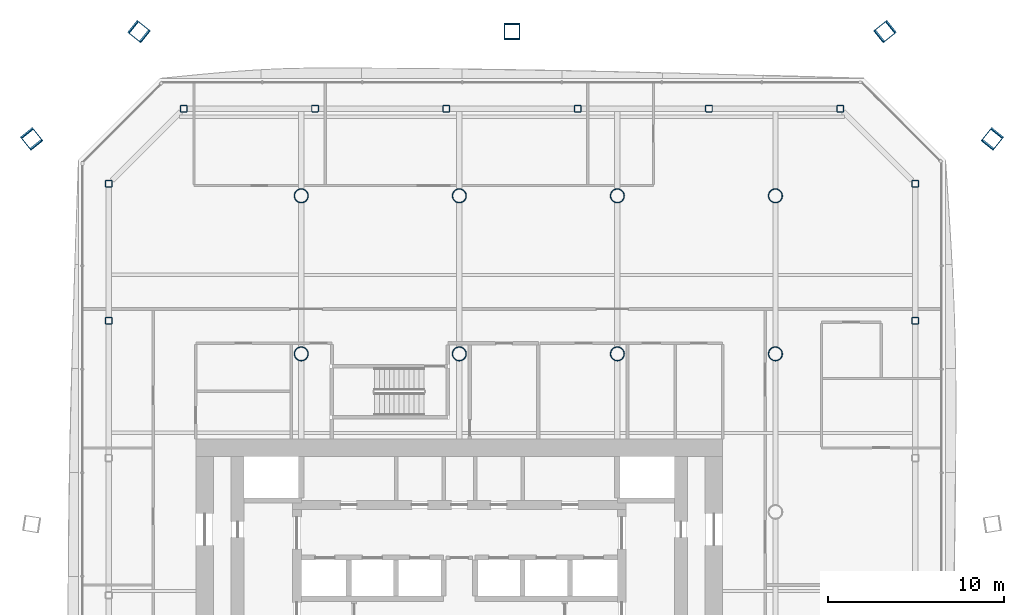
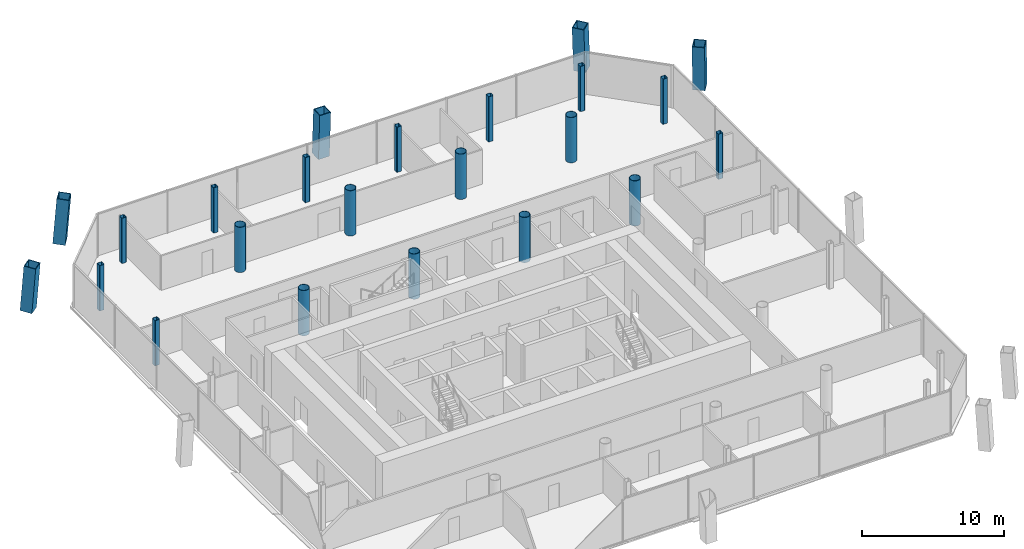
# One storey, part 2 of 19: 23 columns.
"""IFC4 building model written with IfcOpenShell, lengths in metres."""

from ifc_helpers import new_model, si_unit, direction, frame, origin, origin_2d, place, context, subcontext, project, spatial, hollow_rectangle, hollow_circle, extrude, material, material_profile, profile_set, type_object, element, save


model = new_model("IFC4")

# Units and contexts
model_context = context("Model", 3, precision=1e-05, world=origin(), true_north=direction((0.0, 1.0)))
body_context = subcontext(model_context, "Body", "Model", "MODEL_VIEW")
ifc_project = project(units=[si_unit("LENGTHUNIT", "METRE"), si_unit("AREAUNIT", "SQUARE_METRE"), si_unit("VOLUMEUNIT", "CUBIC_METRE"), si_unit("PLANEANGLEUNIT", "RADIAN"), si_unit("MASSUNIT", "GRAM", prefix="KILO")], contexts=[model_context])

# Site, building, storey
site_placement = place(None, origin())
site = spatial("IfcSite", under=ifc_project, at=site_placement, CompositionType="ELEMENT")
building_placement = place(site_placement, origin())
building = spatial("IfcBuilding", under=site, at=building_placement, Name="Tskaro Facet Tower", CompositionType="ELEMENT")
storey_placement = place(building_placement, frame((0.0, 0.0, 89.39990234375)))
storey = spatial("IfcBuildingStorey", under=building, at=storey_placement, Name="L21", CompositionType="ELEMENT", Elevation=89.39990234375)

# Columns
ifc_material_1 = material(Name="Steel S460M", Category="steel")
ifc_material_profile_1 = material_profile(ifc_material_1, hollow_rectangle(XDim=0.89990234375, YDim=0.89990234375, WallThickness=0.054931640625, at=origin_2d()), Name="BOX 900x900x55")
ifc_profile_set_1 = profile_set([ifc_material_profile_1], Name="Steel S460M")
column_type_1 = type_object("IfcColumnType", Name="BOX 900x900x55 mega column", PredefinedType="COLUMN", material=ifc_profile_set_1)
for number, where, z_axis, x_axis, name in (
    (1, (30.3798828125, 21.27392578125, 0.0), (-0.046506336546, -0.057992465304, 0.997233189695), (0.78013092104, -0.625616292976, 0.0), "BOX 900x900x55 MC06/2"),
    (2, (24.27392578125, 27.3798828125, 0.0), (-0.057992465304, -0.046506336546, 0.997233189695), (0.625616292976, -0.78013092104, 0.0), "BOX 900x900x55 MC07/2"),
):
    element("IfcColumn", number, at=place(storey_placement, frame(where, z_axis=z_axis, x_axis=x_axis)), inside=storey, type_object=column_type_1, Name=name, PredefinedType="COLUMN", context=body_context, shape_type="SweptSolid", body=[
        extrude(hollow_rectangle(XDim=0.89990234375, YDim=0.89990234375, WallThickness=0.054931640625, at=origin_2d()), origin(), (0.0, 0.0, 1.0), 3.910888671875),
    ])
column_placement = place(storey_placement, frame((3.0, 27.3798828125, 0.0), z_axis=(0.0, -0.046584737692, 0.99891434178), x_axis=(1.0, 0.0, 0.0)))
element("IfcColumn", 3, at=column_placement, inside=storey, type_object=column_type_1, Name="BOX 900x900x55 MC08/2", PredefinedType="COLUMN", context=body_context, shape_type="SweptSolid", body=[
    extrude(hollow_rectangle(XDim=0.89990234375, YDim=0.89990234375, WallThickness=0.054931640625, at=origin_2d()), origin(), (0.0, 0.0, 1.0), 3.904296875),
])
for number, where, z_axis, x_axis, name in (
    (4, (-18.27392578125, 27.3798828125, 0.0), (0.057992465304, -0.046506336546, 0.997233189695), (0.625616292976, 0.78013092104, 0.0), "BOX 900x900x55 MC09/2"),
    (5, (-24.3798828125, 21.27392578125, 0.0), (0.046506336546, -0.057992465304, 0.997233189695), (0.78013092104, 0.625616292976, 0.0), "BOX 900x900x55 MC10/2"),
):
    element("IfcColumn", number, at=place(storey_placement, frame(where, z_axis=z_axis, x_axis=x_axis)), inside=storey, type_object=column_type_1, Name=name, PredefinedType="COLUMN", context=body_context, shape_type="SweptSolid", body=[
        extrude(hollow_rectangle(XDim=0.89990234375, YDim=0.89990234375, WallThickness=0.054931640625, at=origin_2d()), origin(), (0.0, 0.0, 1.0), 3.910888671875),
    ])
ifc_material_2 = material(Name="Steel S355J2H", Category="steel")
ifc_material_profile_2 = material_profile(ifc_material_2, hollow_circle(Radius=0.406494140625, WallThickness=0.035888671875, at=origin_2d()), Name="CHS 812.8x36")
ifc_profile_set_2 = profile_set([ifc_material_profile_2], Name="Steel S355J2H")
column_type_2 = type_object("IfcColumnType", Name="CHS 812.8x36 interior column", PredefinedType="COLUMN", material=ifc_profile_set_2)
for number, where, z_axis, x_axis, name in (
    (6, (-9.0, 9.0, 0.0), (0.0, 0.0, 1.0), (1.0, 0.0, 0.0), "CHS 812.8x36 C3E/2"),
    (7, (-9.0, 18.0, 0.0), (0.0, 0.0, 1.0), (1.0, 0.0, 0.0), "CHS 812.8x36 C3F/2"),
    (8, (0.0, 9.0, 0.0), (0.0, 0.0, 1.0), (1.0, 0.0, 0.0), "CHS 812.8x36 C4E/2"),
    (9, (0.0, 18.0, 0.0), (0.0, 0.0, 1.0), (1.0, 0.0, 0.0), "CHS 812.8x36 C4F/2"),
    (10, (9.0, 9.0, 0.0), (0.0, 0.0, 1.0), (1.0, 0.0, 0.0), "CHS 812.8x36 C5E/2"),
    (11, (9.0, 18.0, 0.0), (0.0, 0.0, 1.0), (1.0, 0.0, 0.0), "CHS 812.8x36 C5F/2"),
    (12, (18.0, 9.0, 0.0), (0.0, 0.0, 1.0), (1.0, 0.0, 0.0), "CHS 812.8x36 C6E/2"),
    (13, (18.0, 18.0, 0.0), (0.0, 0.0, 1.0), (1.0, 0.0, 0.0), "CHS 812.8x36 C6F/2"),
):
    element("IfcColumn", number, at=place(storey_placement, frame(where, z_axis=z_axis, x_axis=x_axis)), inside=storey, type_object=column_type_2, Name=name, PredefinedType="COLUMN", context=body_context, shape_type="SweptSolid", body=[
        extrude(hollow_circle(Radius=0.406494140625, WallThickness=0.035888671875, at=origin_2d()), origin(), (0.0, 0.0, 1.0), 3.900146484375),
    ])
ifc_material_profile_3 = material_profile(ifc_material_2, hollow_rectangle(XDim=0.39990234375, YDim=0.39990234375, WallThickness=0.02490234375, InnerFilletRadius=0.03759765625, OuterFilletRadius=0.0625, at=origin_2d()), Name="SHS 400x400x25")
ifc_profile_set_3 = profile_set([ifc_material_profile_3], Name="Steel S355J2H")
column_type_3 = type_object("IfcColumnType", Name="SHS 400x400x25 ring column", PredefinedType="COLUMN", material=ifc_profile_set_3)
for number, where, z_axis, x_axis, name in (
    (14, (25.965087890625, 10.87890625, 0.0), (0.0, 0.0, 1.0), (1.0, 0.0, 0.0), "SHS 400x400x25 RE-5/2"),
    (15, (25.965087890625, 18.68994140625, 0.0), (0.0, 0.0, 1.0), (1.0, 0.0, 0.0), "SHS 400x400x25 RNE-1/2"),
    (16, (21.68994140625, 22.965087890625, 0.0), (0.0, 0.0, 1.0), (1.0, 0.0, 0.0), "SHS 400x400x25 RN-1/2"),
    (17, (14.214111328125, 22.965087890625, 0.0), (0.0, 0.0, 1.0), (1.0, 0.0, 0.0), "SHS 400x400x25 RN-2/2"),
    (18, (6.738037109375, 22.965087890625, 0.0), (0.0, 0.0, 1.0), (1.0, 0.0, 0.0), "SHS 400x400x25 RN-3/2"),
    (19, (-0.738037109375, 22.965087890625, 0.0), (0.0, 0.0, 1.0), (1.0, 0.0, 0.0), "SHS 400x400x25 RN-4/2"),
    (20, (-8.214111328125, 22.965087890625, 0.0), (0.0, 0.0, 1.0), (1.0, 0.0, 0.0), "SHS 400x400x25 RN-5/2"),
    (21, (-15.68994140625, 22.965087890625, 0.0), (0.0, 0.0, 1.0), (1.0, 0.0, 0.0), "SHS 400x400x25 RNW-1/2"),
    (22, (-19.965087890625, 18.68994140625, 0.0), (0.0, 0.0, 1.0), (1.0, 0.0, 0.0), "SHS 400x400x25 RW-1/2"),
    (23, (-19.965087890625, 10.87890625, 0.0), (0.0, 0.0, 1.0), (1.0, 0.0, 0.0), "SHS 400x400x25 RW-2/2"),
):
    element("IfcColumn", number, at=place(storey_placement, frame(where, z_axis=z_axis, x_axis=x_axis)), inside=storey, type_object=column_type_3, Name=name, PredefinedType="COLUMN", context=body_context, shape_type="SweptSolid", body=[
        extrude(hollow_rectangle(XDim=0.39990234375, YDim=0.39990234375, WallThickness=0.02490234375, InnerFilletRadius=0.03759765625, OuterFilletRadius=0.0625, at=origin_2d()), origin(), (0.0, 0.0, 1.0), 3.900146484375),
    ])

save(model, "model.ifc")
